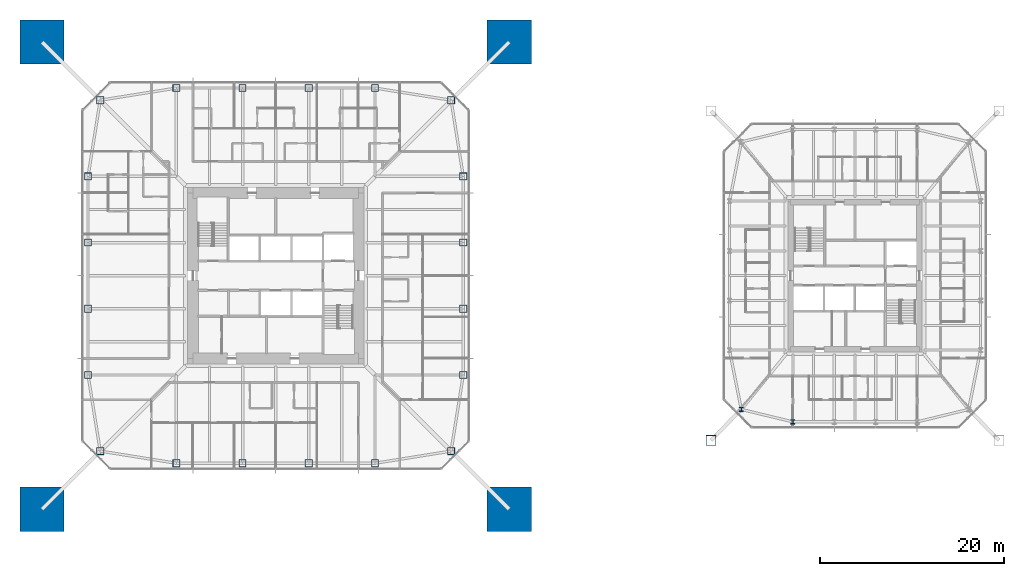
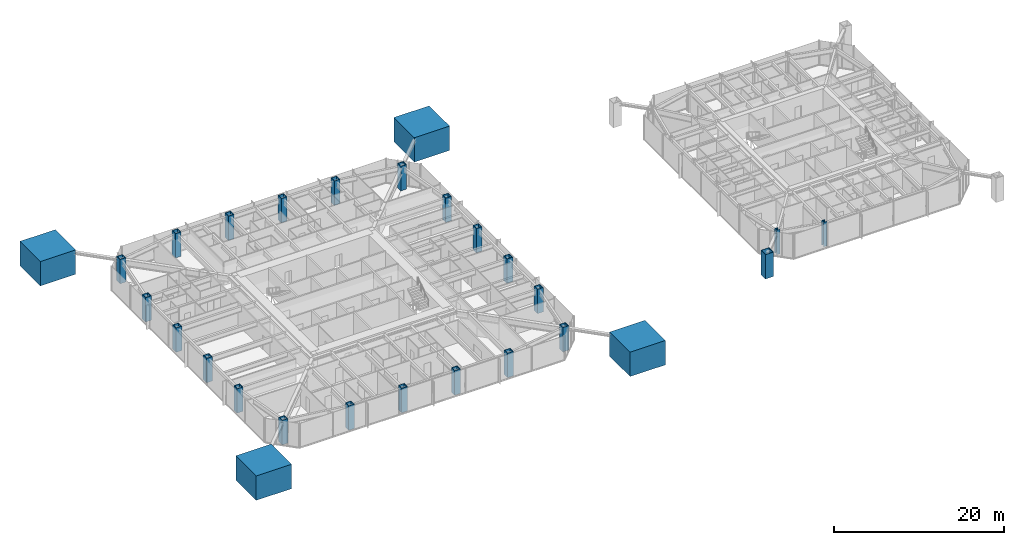
# One storey, part 1 of 25: 27 columns.
"""IFC4 building model written with IfcOpenShell, lengths in metres."""

from ifc_helpers import new_model, si_unit, direction, frame, origin, origin_2d, place, context, subcontext, project, spatial, rectangle, hollow_rectangle, i_section, extrude, material, material_profile, profile_set, type_object, element, save


model = new_model("IFC4")

# Units and contexts
model_context = context("Model", 3, precision=1e-05, world=origin(), true_north=direction((0.0, 1.0)))
body_context = subcontext(model_context, "Body", "Model", "MODEL_VIEW")
ifc_project = project(units=[si_unit("LENGTHUNIT", "METRE"), si_unit("AREAUNIT", "SQUARE_METRE"), si_unit("VOLUMEUNIT", "CUBIC_METRE"), si_unit("PLANEANGLEUNIT", "RADIAN"), si_unit("MASSUNIT", "GRAM", prefix="KILO")], contexts=[model_context])

# Site, building, storey
site_placement = place(None, origin())
site = spatial("IfcSite", under=ifc_project, at=site_placement, CompositionType="ELEMENT")
building_placement = place(site_placement, origin())
building = spatial("IfcBuilding", under=site, at=building_placement, Name="Iwan Alto Co-Living Towers", CompositionType="ELEMENT")
storey_placement = place(building_placement, frame((0.0, 0.0, 119.0)))
storey = spatial("IfcBuildingStorey", under=building, at=storey_placement, Name="L32", CompositionType="ELEMENT", Elevation=119.0)

# Columns
ifc_material_1 = material(Name="Concrete f'c 70 MPa", Category="concrete")
ifc_material_profile_1 = material_profile(ifc_material_1, rectangle(XDim=4.800048828125, YDim=4.800048828125, at=origin_2d()), Name="RC 4800X4800")
ifc_profile_set_1 = profile_set([ifc_material_profile_1], Name="Concrete f'c 70 MPa")
column_type_1 = type_object("IfcColumnType", Name="T1 MEGA COLUMN RC 4800X4800", PredefinedType="COLUMN", material=ifc_profile_set_1)
for number, where, z_axis, x_axis, name in (
    (1, (-25.39990234375, -25.39990234375, 0.0), (0.0, 0.0, 1.0), (1.0, 0.0, 0.0), "T1 mega column SW L32"),
    (2, (25.39990234375, -25.39990234375, 0.0), (0.0, 0.0, 1.0), (1.0, 0.0, 0.0), "T1 mega column SE L32"),
    (3, (25.39990234375, 25.39990234375, 0.0), (0.0, 0.0, 1.0), (1.0, 0.0, 0.0), "T1 mega column NE L32"),
    (4, (-25.39990234375, 25.39990234375, 0.0), (0.0, 0.0, 1.0), (1.0, 0.0, 0.0), "T1 mega column NW L32"),
):
    element("IfcColumn", number, at=place(storey_placement, frame(where, z_axis=z_axis, x_axis=x_axis)), inside=storey, type_object=column_type_1, Name=name, PredefinedType="COLUMN", context=body_context, shape_type="SweptSolid", body=[
        extrude(rectangle(XDim=4.800048828125, YDim=4.800048828125, at=origin_2d()), origin(), (0.0, 0.0, 1.0), 3.5),
        extrude(i_section(OverallWidth=0.4775390625, OverallDepth=0.599365234375, WebThickness=0.10009765625, FlangeThickness=0.139892578125, at=origin_2d()), origin(), (0.0, 0.0, 1.0), 3.5),
    ])
ifc_material_2 = material(Name="Steel ASTM A572 Gr 50", Category="steel")
ifc_material_profile_2 = material_profile(ifc_material_2, hollow_rectangle(XDim=0.800048828125, YDim=0.800048828125, WallThickness=0.070068359375, at=origin_2d()), Name="BOX 800X800X70")
ifc_profile_set_2 = profile_set([ifc_material_profile_2], Name="Steel ASTM A572 Gr 50")
column_type_2 = type_object("IfcColumnType", Name="T1 RING COLUMN BOX 800X800X70", PredefinedType="COLUMN", material=ifc_profile_set_2)
for number, where, z_axis, x_axis, name in (
    (5, (-19.07568359375, -19.07568359375, 0.0), (0.0, 0.0, 1.0), (1.0, 0.0, 0.0), "T1 ring column CSW L32"),
    (6, (-10.800048828125, -20.39990234375, 0.0), (0.0, 0.0, 1.0), (1.0, 0.0, 0.0), "T1 ring column S1 L32"),
    (7, (-3.60009765625, -20.39990234375, 0.0), (0.0, 0.0, 1.0), (1.0, 0.0, 0.0), "T1 ring column S2 L32"),
    (8, (3.60009765625, -20.39990234375, 0.0), (0.0, 0.0, 1.0), (1.0, 0.0, 0.0), "T1 ring column S3 L32"),
    (9, (10.800048828125, -20.39990234375, 0.0), (0.0, 0.0, 1.0), (1.0, 0.0, 0.0), "T1 ring column S4 L32"),
    (10, (19.07568359375, -19.07568359375, 0.0), (0.0, 0.0, 1.0), (1.0, 0.0, 0.0), "T1 ring column CSE L32"),
    (11, (20.39990234375, -10.800048828125, 0.0), (0.0, 0.0, 1.0), (1.0, 0.0, 0.0), "T1 ring column E1 L32"),
    (12, (20.39990234375, -3.60009765625, 0.0), (0.0, 0.0, 1.0), (1.0, 0.0, 0.0), "T1 ring column E2 L32"),
    (13, (20.39990234375, 3.60009765625, 0.0), (0.0, 0.0, 1.0), (1.0, 0.0, 0.0), "T1 ring column E3 L32"),
    (14, (20.39990234375, 10.800048828125, 0.0), (0.0, 0.0, 1.0), (1.0, 0.0, 0.0), "T1 ring column E4 L32"),
    (15, (19.07568359375, 19.07568359375, 0.0), (0.0, 0.0, 1.0), (1.0, 0.0, 0.0), "T1 ring column CNE L32"),
    (16, (10.800048828125, 20.39990234375, 0.0), (0.0, 0.0, 1.0), (1.0, 0.0, 0.0), "T1 ring column N1 L32"),
    (17, (3.60009765625, 20.39990234375, 0.0), (0.0, 0.0, 1.0), (1.0, 0.0, 0.0), "T1 ring column N2 L32"),
    (18, (-3.60009765625, 20.39990234375, 0.0), (0.0, 0.0, 1.0), (1.0, 0.0, 0.0), "T1 ring column N3 L32"),
    (19, (-10.800048828125, 20.39990234375, 0.0), (0.0, 0.0, 1.0), (1.0, 0.0, 0.0), "T1 ring column N4 L32"),
    (20, (-19.07568359375, 19.07568359375, 0.0), (0.0, 0.0, 1.0), (1.0, 0.0, 0.0), "T1 ring column CNW L32"),
    (21, (-20.39990234375, 10.800048828125, 0.0), (0.0, 0.0, 1.0), (1.0, 0.0, 0.0), "T1 ring column W1 L32"),
    (22, (-20.39990234375, 3.60009765625, 0.0), (0.0, 0.0, 1.0), (1.0, 0.0, 0.0), "T1 ring column W2 L32"),
    (23, (-20.39990234375, -3.60009765625, 0.0), (0.0, 0.0, 1.0), (1.0, 0.0, 0.0), "T1 ring column W3 L32"),
    (24, (-20.39990234375, -10.800048828125, 0.0), (0.0, 0.0, 1.0), (1.0, 0.0, 0.0), "T1 ring column W4 L32"),
):
    element("IfcColumn", number, at=place(storey_placement, frame(where, z_axis=z_axis, x_axis=x_axis)), inside=storey, type_object=column_type_2, Name=name, PredefinedType="COLUMN", context=body_context, shape_type="SweptSolid", body=[
        extrude(hollow_rectangle(XDim=0.800048828125, YDim=0.800048828125, WallThickness=0.070068359375, at=origin_2d()), origin(), (0.0, 0.0, 1.0), 3.5),
    ])
ifc_material_3 = material(Name="Steel ASTM A572 Gr 50", Category="steel")
ifc_material_profile_3 = material_profile(ifc_material_3, hollow_rectangle(XDim=1.10009765625, YDim=1.10009765625, WallThickness=0.06005859375, at=origin_2d()), Name="BOX 1100X1100X60")
ifc_profile_set_3 = profile_set([ifc_material_profile_3], Name="Steel ASTM A572 Gr 50")
column_type_3 = type_object("IfcColumnType", Name="T2 MEGA COLUMN BOX 1100X1100X60", PredefinedType="COLUMN", material=ifc_profile_set_3)
column_placement = place(storey_placement, frame((47.35009765625, -17.89990234375, 0.0), z_axis=(0.0, 0.0, 1.0), x_axis=(1.0, 0.0, 0.0)))
element("IfcColumn", 25, at=column_placement, inside=storey, type_object=column_type_3, Name="T2 mega column SW L32", PredefinedType="COLUMN", context=body_context, shape_type="SweptSolid", body=[
    extrude(hollow_rectangle(XDim=1.10009765625, YDim=1.10009765625, WallThickness=0.06005859375, at=origin_2d()), origin(), (0.0, 0.0, 1.0), 3.5),
])
ifc_material_4 = material(Name="Steel ASTM A992 Gr 50", Category="steel")
ifc_material_profile_4 = material_profile(ifc_material_4, i_section(OverallWidth=0.4267578125, OverallDepth=0.482666015625, WebThickness=0.05126953125, FlangeThickness=0.08154296875, at=origin_2d()), Name="W14X455")
ifc_profile_set_4 = profile_set([ifc_material_profile_4], Name="Steel ASTM A992 Gr 50")
column_type_4 = type_object("IfcColumnType", Name="T2 RING COLUMN W14X455", PredefinedType="COLUMN", material=ifc_profile_set_4)
for number, where, z_axis, x_axis, name in (
    (26, (50.638671875, -14.542724609375, 0.0), (0.0, 0.0, 1.0), (1.0, 0.0, 0.0), "T2 ring column CSW L32"),
    (27, (56.25, -15.89990234375, 0.0), (0.0, 0.0, 1.0), (1.0, 0.0, 0.0), "T2 ring column S1 L32"),
):
    element("IfcColumn", number, at=place(storey_placement, frame(where, z_axis=z_axis, x_axis=x_axis)), inside=storey, type_object=column_type_4, Name=name, PredefinedType="COLUMN", context=body_context, shape_type="SweptSolid", body=[
        extrude(i_section(OverallWidth=0.4267578125, OverallDepth=0.482666015625, WebThickness=0.05126953125, FlangeThickness=0.08154296875, at=origin_2d()), origin(), (0.0, 0.0, 1.0), 3.5),
    ])

save(model, "model.ifc")
